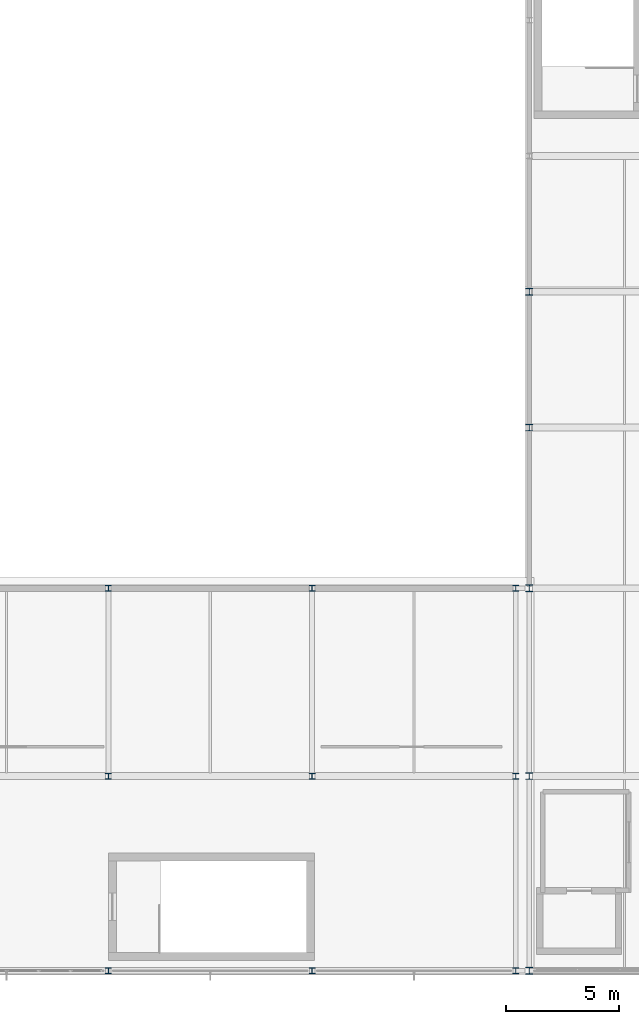
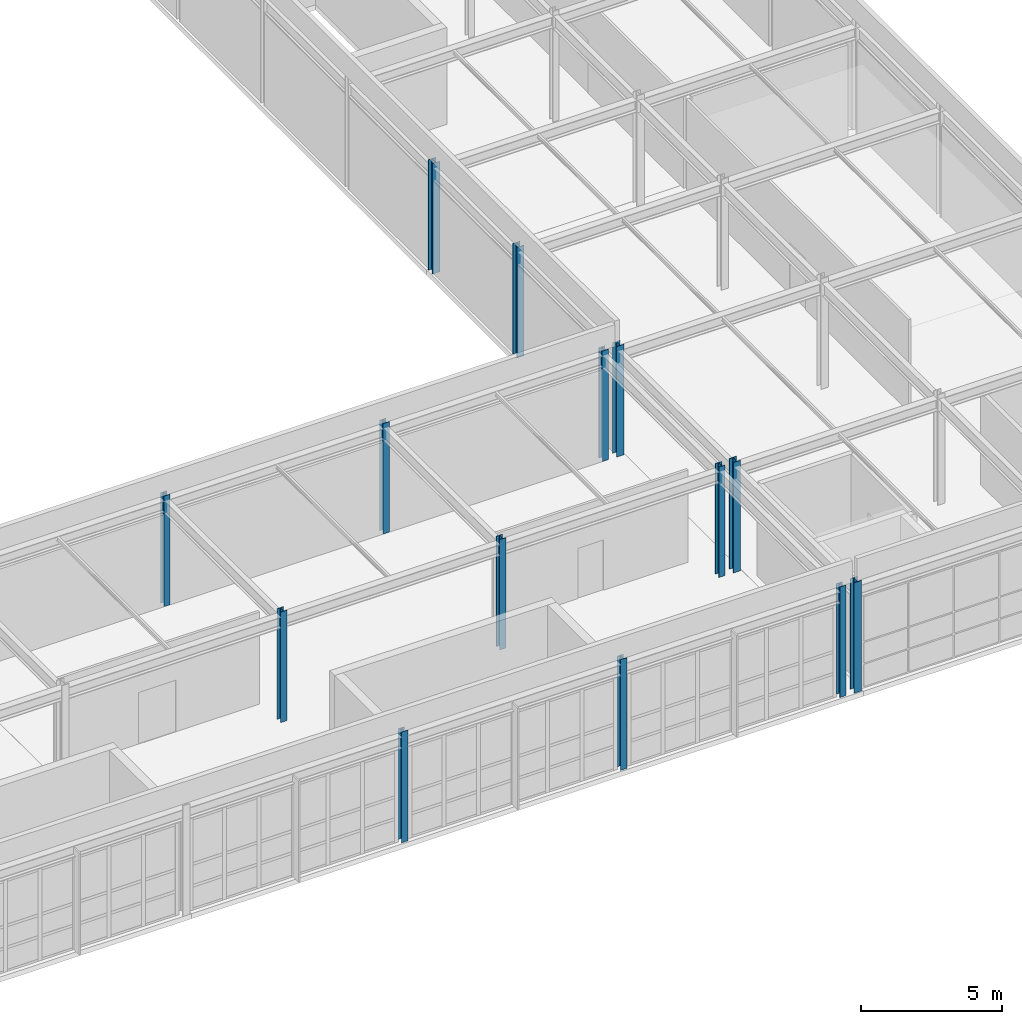
# One storey, part 2 of 38: 14 columns.
"""IFC4 building model written with IfcOpenShell, lengths in metres."""

from ifc_helpers import new_model, si_unit, direction, frame, origin, origin_2d, place, context, subcontext, project, spatial, i_section, extrude, material, material_profile, profile_set, type_object, element, save


model = new_model("IFC4")

# Units and contexts
model_context = context("Model", 3, precision=1e-05, world=origin(), true_north=direction((0.0, 1.0)))
body_context = subcontext(model_context, "Body", "Model", "MODEL_VIEW")
ifc_project = project(units=[si_unit("LENGTHUNIT", "METRE"), si_unit("AREAUNIT", "SQUARE_METRE"), si_unit("VOLUMEUNIT", "CUBIC_METRE"), si_unit("PLANEANGLEUNIT", "RADIAN"), si_unit("MASSUNIT", "GRAM", prefix="KILO")], contexts=[model_context])

# Site, building, storey
site_placement = place(None, origin())
site = spatial("IfcSite", under=ifc_project, at=site_placement, CompositionType="ELEMENT")
building_placement = place(site_placement, origin())
building = spatial("IfcBuilding", under=site, at=building_placement, Name="Kaldris Quays Convention Centre", CompositionType="ELEMENT")
storey_placement = place(building_placement, frame((0.0, 0.0, 21.60009765625)))
storey = spatial("IfcBuildingStorey", under=building, at=storey_placement, Name="L04", CompositionType="ELEMENT", Elevation=21.60009765625)

# Columns
ifc_material = material(Name="Steel S355J2", Category="steel")
ifc_material_profile_1 = material_profile(ifc_material, i_section(OverallWidth=0.300048828125, OverallDepth=0.300048828125, WebThickness=0.010986328125, FlangeThickness=0.01904296875, FilletRadius=0.027099609375, at=origin_2d()), Name="HEB 300")
ifc_profile_set_1 = profile_set([ifc_material_profile_1], Name="Steel S355J2")
column_type_1 = type_object("IfcColumnType", Name="STRUCTURAL COLUMN CL11", PredefinedType="COLUMN", material=ifc_profile_set_1)
for number, where, z_axis, x_axis, name in (
    (1, (146.60009765625, 38.0, 0.0), (0.0, 0.0, 1.0), (1.0, 0.0, 0.0), "L04 V4 Column CL11 (146.60, 38.00)"),
    (2, (146.60009765625, 46.60009765625, 0.0), (0.0, 0.0, 1.0), (1.0, 0.0, 0.0), "L04 V4 Column CL11 (146.60, 46.60)"),
    (3, (146.60009765625, 54.89990234375, 0.0), (0.0, 0.0, 1.0), (1.0, 0.0, 0.0), "L04 V4 Column CL11 (146.60, 54.90)"),
    (4, (146.60009765625, 62.0, 0.0), (0.0, 0.0, 1.0), (1.0, 0.0, 0.0), "L04 V4 Column CL11 (146.60, 62.00)"),
    (5, (146.60009765625, 68.0, 0.0), (0.0, 0.0, 1.0), (1.0, 0.0, 0.0), "L04 V4 Column CL11 (146.60, 68.00)"),
):
    element("IfcColumn", number, at=place(storey_placement, frame(where, z_axis=z_axis, x_axis=x_axis)), inside=storey, type_object=column_type_1, Name=name, PredefinedType="COLUMN", context=body_context, shape_type="SweptSolid", body=[
        extrude(i_section(OverallWidth=0.300048828125, OverallDepth=0.300048828125, WebThickness=0.010986328125, FlangeThickness=0.01904296875, FilletRadius=0.027099609375, at=origin_2d()), origin(), (0.0, 0.0, 1.0), 4.7998046875),
    ])
ifc_material_profile_2 = material_profile(ifc_material, i_section(OverallWidth=0.260009765625, OverallDepth=0.260009765625, WebThickness=0.010009765625, FlangeThickness=0.017578125, FilletRadius=0.02392578125, at=origin_2d()), Name="HEB 260")
ifc_profile_set_2 = profile_set([ifc_material_profile_2], Name="Steel S355J2")
column_type_2 = type_object("IfcColumnType", Name="STRUCTURAL COLUMN CL19", PredefinedType="COLUMN", material=ifc_profile_set_2)
for number, where, z_axis, x_axis, name in (
    (6, (128.0, 38.0, 0.0), (0.0, 0.0, 1.0), (1.0, 0.0, 0.0), "L04 V4 Column CL19 (128.00, 38.00)"),
    (7, (128.0, 46.60009765625, 0.0), (0.0, 0.0, 1.0), (1.0, 0.0, 0.0), "L04 V4 Column CL19 (128.00, 46.60)"),
    (8, (128.0, 54.89990234375, 0.0), (0.0, 0.0, 1.0), (1.0, 0.0, 0.0), "L04 V4 Column CL19 (128.00, 54.90)"),
    (9, (137.0, 38.0, 0.0), (0.0, 0.0, 1.0), (1.0, 0.0, 0.0), "L04 V4 Column CL19 (137.00, 38.00)"),
    (10, (137.0, 46.60009765625, 0.0), (0.0, 0.0, 1.0), (1.0, 0.0, 0.0), "L04 V4 Column CL19 (137.00, 46.60)"),
    (11, (137.0, 54.89990234375, 0.0), (0.0, 0.0, 1.0), (1.0, 0.0, 0.0), "L04 V4 Column CL19 (137.00, 54.90)"),
    (12, (146.0, 38.0, 0.0), (0.0, 0.0, 1.0), (1.0, 0.0, 0.0), "L04 V4 Column CL19 (146.00, 38.00)"),
    (13, (146.0, 46.60009765625, 0.0), (0.0, 0.0, 1.0), (1.0, 0.0, 0.0), "L04 V4 Column CL19 (146.00, 46.60)"),
    (14, (146.0, 54.89990234375, 0.0), (0.0, 0.0, 1.0), (1.0, 0.0, 0.0), "L04 V4 Column CL19 (146.00, 54.90)"),
):
    element("IfcColumn", number, at=place(storey_placement, frame(where, z_axis=z_axis, x_axis=x_axis)), inside=storey, type_object=column_type_2, Name=name, PredefinedType="COLUMN", context=body_context, shape_type="SweptSolid", body=[
        extrude(i_section(OverallWidth=0.260009765625, OverallDepth=0.260009765625, WebThickness=0.010009765625, FlangeThickness=0.017578125, FilletRadius=0.02392578125, at=origin_2d()), origin(), (0.0, 0.0, 1.0), 4.7998046875),
    ])

save(model, "model.ifc")
